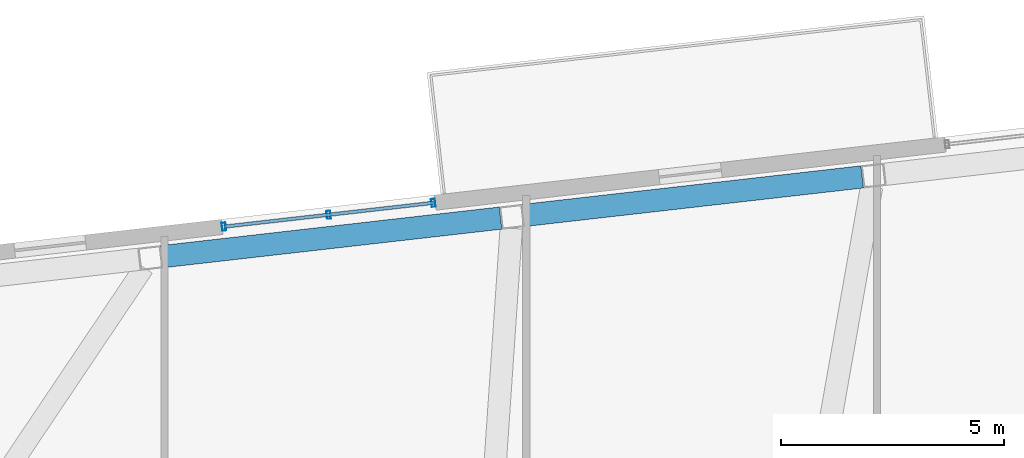
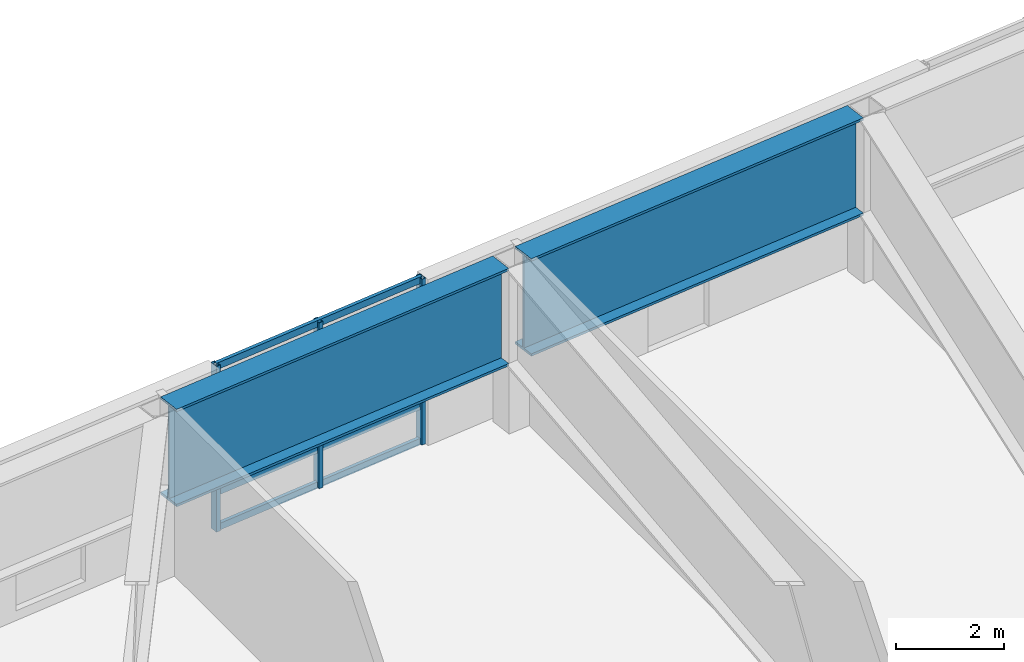
# One storey, part 8 of 20: 6 members, 2 beams, 1 element without a shape of its own.
"""IFC4 building model written with IfcOpenShell, lengths in metres."""

from ifc_helpers import new_model, si_unit, direction, frame, origin, origin_2d, place, context, subcontext, project, spatial, hollow_rectangle, i_section, extrude, material, layer, layer_set, material_profile, profile_set, type_object, element, aggregate, save


model = new_model("IFC4")

# Units and contexts
model_context = context("Model", 3, precision=1e-05, world=origin(), true_north=direction((0.0, 1.0)))
body_context = subcontext(model_context, "Body", "Model", "MODEL_VIEW")
ifc_project = project(units=[si_unit("LENGTHUNIT", "METRE"), si_unit("AREAUNIT", "SQUARE_METRE"), si_unit("VOLUMEUNIT", "CUBIC_METRE"), si_unit("PLANEANGLEUNIT", "RADIAN"), si_unit("MASSUNIT", "GRAM", prefix="KILO")], contexts=[model_context])

# Site, building, storey
site_placement = place(None, origin())
site = spatial("IfcSite", under=ifc_project, at=site_placement, CompositionType="ELEMENT")
building_placement = place(site_placement, origin())
building = spatial("IfcBuilding", under=site, at=building_placement, Name="Tavrogorsk Clinical Tower", CompositionType="ELEMENT")
storey_placement = place(building_placement, frame((0.0, 0.0, 214.199951171875)))
storey = spatial("IfcBuildingStorey", under=building, at=storey_placement, Name="L49", CompositionType="ELEMENT", Elevation=214.199951171875)

# Curtain wall, members
ifc_material_1 = material(Name="Anodised aluminium and triple IGU glazing", Category="aluminium")
ifc_layer = layer(ifc_material_1, 0.179931640625)
ifc_layer_set = layer_set([ifc_layer], Name="Anodised aluminium and triple IGU glazing")
curtain_wall_type = type_object("IfcCurtainWallType", Name="CW2_NorthSlot", PredefinedType="NOTDEFINED", material=ifc_layer_set)
curtain_wall_placement = place(storey_placement, origin())
curtain_wall = element("IfcCurtainWall", 1, at=curtain_wall_placement, inside=storey, type_object=curtain_wall_type, Name="L49 Curtain Wall CW-L49-N-SLOT-1", PredefinedType="NOTDEFINED")
ifc_material_2 = material(Name="Anodised aluminium alloy AW-6060", Category="aluminium")
ifc_material_profile_1 = material_profile(ifc_material_2, hollow_rectangle(XDim=0.090087890625, YDim=0.179931640625, WallThickness=0.00634765625, at=origin_2d()), Name="RHS-180x90x6.3")
ifc_profile_set_1 = profile_set([ifc_material_profile_1], Name="Anodised aluminium alloy AW-6060")
member_type_1 = type_object("IfcMemberType", Name="CwMullion_180x90", PredefinedType="MULLION", material=ifc_profile_set_1)
member_1_placement = place(storey_placement, frame((-10.781982421875, 25.42529296875, 0.0), z_axis=(0.0, 0.0, 1.0), x_axis=(-0.993571855603, -0.11320321441, 0.0)))
member_1 = element("IfcMember", 2, at=member_1_placement, type_object=member_type_1, Name="CW-L49-N-SLOT-1 Mullion 1", PredefinedType="MULLION", context=body_context, shape_type="SweptSolid", body=[
    extrude(hollow_rectangle(XDim=0.090087890625, YDim=0.179931640625, WallThickness=0.00634765625, at=origin_2d()), origin(), (0.0, 0.0, 1.0), 3.739990234375),
])
member_2_placement = place(storey_placement, frame((-13.1259765625, 25.158203125, 0.0), z_axis=(0.0, 0.0, 1.0), x_axis=(-0.993571855603, -0.11320321441, 0.0)))
member_2 = element("IfcMember", 3, at=member_2_placement, type_object=member_type_1, Name="CW-L49-N-SLOT-1 Mullion 2", PredefinedType="MULLION", context=body_context, shape_type="SweptSolid", body=[
    extrude(hollow_rectangle(XDim=0.090087890625, YDim=0.179931640625, WallThickness=0.00634765625, at=origin_2d()), origin(), (0.0, 0.0, 1.0), 3.739990234375),
])
member_3_placement = place(storey_placement, frame((-15.4697265625, 24.89111328125, 0.0), z_axis=(0.0, 0.0, 1.0), x_axis=(-0.993571855603, -0.11320321441, 0.0)))
member_3 = element("IfcMember", 4, at=member_3_placement, type_object=member_type_1, Name="CW-L49-N-SLOT-1 Mullion 3", PredefinedType="MULLION", context=body_context, shape_type="SweptSolid", body=[
    extrude(hollow_rectangle(XDim=0.090087890625, YDim=0.179931640625, WallThickness=0.00634765625, at=origin_2d()), origin(), (0.0, 0.0, 1.0), 3.739990234375),
])
ifc_material_3 = material(Name="Anodised aluminium alloy AW-6060", Category="aluminium")
ifc_material_profile_2 = material_profile(ifc_material_3, hollow_rectangle(XDim=0.074951171875, YDim=0.14990234375, WallThickness=0.0048828125, at=origin_2d()), Name="RHS-150x75x5")
ifc_profile_set_2 = profile_set([ifc_material_profile_2], Name="Anodised aluminium alloy AW-6060")
member_type_2 = type_object("IfcMemberType", Name="CwTransom_150x75", PredefinedType="USERDEFINED", material=ifc_profile_set_2)
member_4_placement = place(storey_placement, frame((-10.781982421875, 25.42529296875, 0.050048828125), z_axis=(-0.993569979218, -0.113219682023, 0.0), x_axis=(0.113219682023, -0.993569979218, 0.0)))
member_4 = element("IfcMember", 5, at=member_4_placement, type_object=member_type_2, Name="CW-L49-N-SLOT-1 Transom 1", ObjectType="TRANSOM", PredefinedType="USERDEFINED", context=body_context, shape_type="SweptSolid", body=[
    extrude(hollow_rectangle(XDim=0.074951171875, YDim=0.14990234375, WallThickness=0.0048828125, at=origin_2d()), origin(), (0.0, 0.0, 1.0), 4.718017578125),
])
member_5_placement = place(storey_placement, frame((-10.781982421875, 25.42529296875, 0.85009765625), z_axis=(-0.993569979218, -0.113219682023, 0.0), x_axis=(0.113219682023, -0.993569979218, 0.0)))
member_5 = element("IfcMember", 6, at=member_5_placement, type_object=member_type_2, Name="CW-L49-N-SLOT-1 Transom 2", ObjectType="TRANSOM", PredefinedType="USERDEFINED", context=body_context, shape_type="SweptSolid", body=[
    extrude(hollow_rectangle(XDim=0.074951171875, YDim=0.14990234375, WallThickness=0.0048828125, at=origin_2d()), origin(), (0.0, 0.0, 1.0), 4.718017578125),
])
member_6_placement = place(storey_placement, frame((-10.781982421875, 25.42529296875, 3.68994140625), z_axis=(-0.993569979218, -0.113219682023, 0.0), x_axis=(0.113219682023, -0.993569979218, 0.0)))
member_6 = element("IfcMember", 7, at=member_6_placement, type_object=member_type_2, Name="CW-L49-N-SLOT-1 Transom 3", ObjectType="TRANSOM", PredefinedType="USERDEFINED", context=body_context, shape_type="SweptSolid", body=[
    extrude(hollow_rectangle(XDim=0.074951171875, YDim=0.14990234375, WallThickness=0.0048828125, at=origin_2d()), origin(), (0.0, 0.0, 1.0), 4.718017578125),
])
aggregate(curtain_wall, [member_1, member_2, member_3, member_4, member_5, member_6])

# Beams
ifc_material_4 = material(Name="Structural steel S440", Category="steel")
ifc_material_profile_3 = material_profile(ifc_material_4, i_section(OverallWidth=0.5, OverallDepth=2.199951171875, WebThickness=0.035888671875, FlangeThickness=0.054931640625, at=origin_2d()), Name="DK-2200x500x36x55")
ifc_profile_set_3 = profile_set([ifc_material_profile_3], Name="Structural steel S440")
beam_type = type_object("IfcBeamType", Name="TransferGirder_DK2200", PredefinedType="USERDEFINED", material=ifc_profile_set_3)
for number, where, z_axis, x_axis, name in (
    (8, (-1.18017578125, 26.006103515625, 2.64013671875), (-0.993568501687, -0.113232647478, 0.0), (0.113232647478, -0.993568501687, 0.0), "L49 Perimeter Spandrel N4-N5"),
    (9, (-9.2763671875, 25.08349609375, 2.64013671875), (-0.993572099834, -0.113201070804, 0.0), (0.113201070804, -0.993572099834, 0.0), "L49 Perimeter Spandrel N5-N6"),
):
    element("IfcBeam", number, at=place(storey_placement, frame(where, z_axis=z_axis, x_axis=x_axis)), inside=storey, type_object=beam_type, Name=name, ObjectType="GIRDER", PredefinedType="USERDEFINED", context=body_context, shape_type="SweptSolid", body=[
        extrude(i_section(OverallWidth=0.5, OverallDepth=2.199951171875, WebThickness=0.035888671875, FlangeThickness=0.054931640625, at=origin_2d()), origin(), (0.0, 0.0, 1.0), 7.632568359375),
    ])

save(model, "model.ifc")
